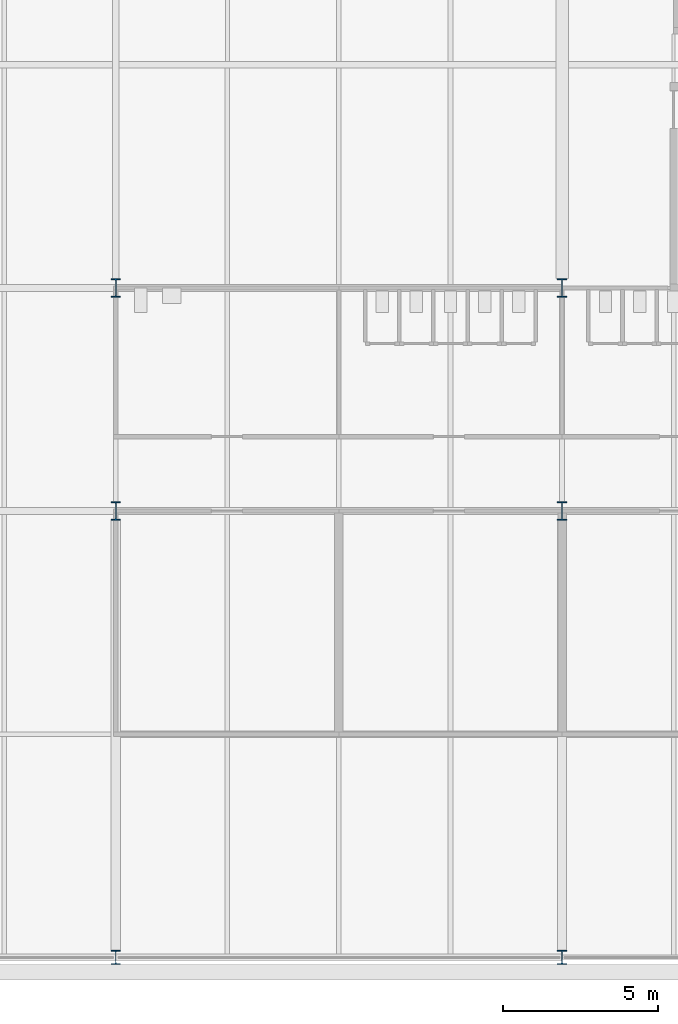
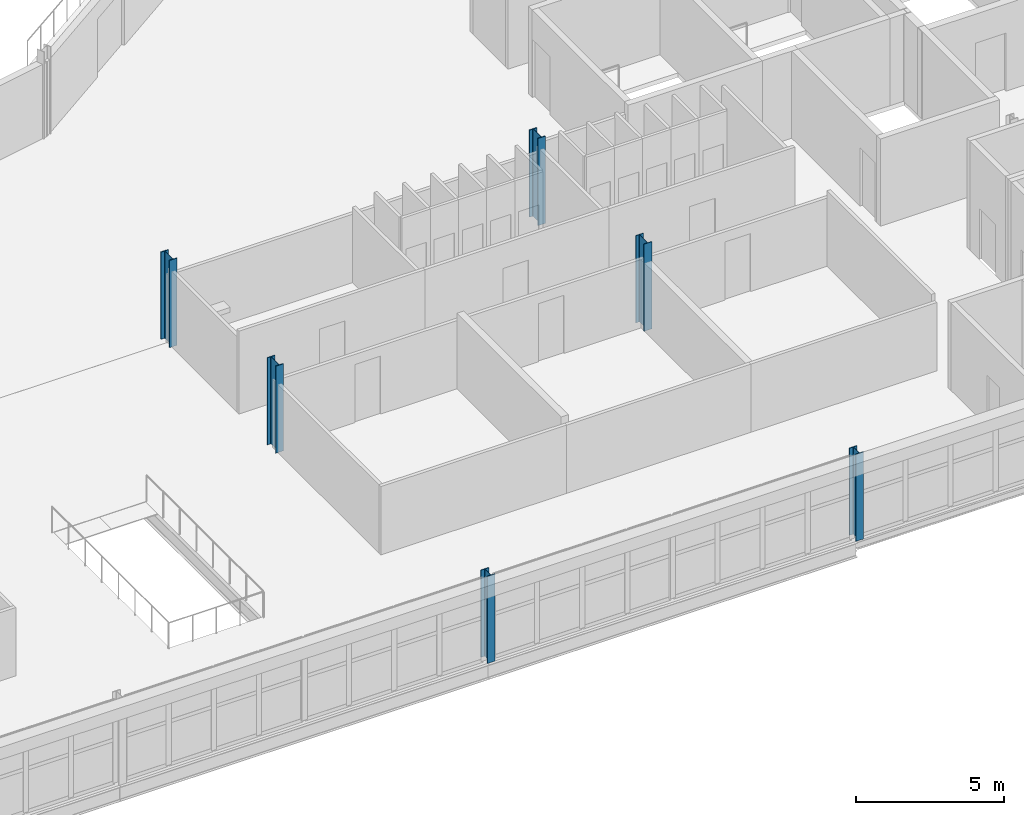
# One storey, part 2 of 142: 6 columns.
"""IFC4 building model written with IfcOpenShell, lengths in metres."""

from ifc_helpers import new_model, si_unit, direction, frame, origin, origin_2d, place, context, subcontext, project, spatial, i_section, extrude, material, material_profile, profile_set, type_object, element, save


model = new_model("IFC4")

# Units and contexts
model_context = context("Model", 3, precision=1e-05, world=origin(), true_north=direction((0.0, 1.0)))
body_context = subcontext(model_context, "Body", "Model", "MODEL_VIEW")
ifc_project = project(units=[si_unit("LENGTHUNIT", "METRE"), si_unit("AREAUNIT", "SQUARE_METRE"), si_unit("VOLUMEUNIT", "CUBIC_METRE"), si_unit("PLANEANGLEUNIT", "RADIAN"), si_unit("MASSUNIT", "GRAM", prefix="KILO")], contexts=[model_context])

# Site, building, storey
site_placement = place(None, origin())
site = spatial("IfcSite", under=ifc_project, at=site_placement, CompositionType="ELEMENT")
building_placement = place(site_placement, origin())
building = spatial("IfcBuilding", under=site, at=building_placement, Name="Kupolbacken Congress Centre", CompositionType="ELEMENT")
storey_placement = place(building_placement, frame((0.0, 0.0, 14.39990234375)))
storey = spatial("IfcBuildingStorey", under=building, at=storey_placement, Name="L04", CompositionType="ELEMENT", Elevation=14.39990234375)

# Columns
ifc_material_1 = material(Name="Steel S355", Category="steel")
ifc_material_profile_1 = material_profile(ifc_material_1, i_section(OverallWidth=0.300048828125, OverallDepth=0.449951171875, WebThickness=0.013916015625, FlangeThickness=0.02587890625, FilletRadius=0.027099609375, at=origin_2d()), Name="HEB 450")
ifc_profile_set_1 = profile_set([ifc_material_profile_1], Name="Steel S355")
column_type_1 = type_object("IfcColumnType", Name="C03 column HEB 450", PredefinedType="COLUMN", material=ifc_profile_set_1)
for number, where, z_axis, x_axis, name in (
    (1, (50.39990234375, 28.800048828125, 0.0), (0.0, 0.0, 1.0), (1.0, 0.0, 0.0), "S/col/C-F-8E/L04"),
    (2, (64.800048828125, 28.800048828125, 0.0), (0.0, 0.0, 1.0), (1.0, 0.0, 0.0), "S/col/C-F-10E/L04"),
):
    element("IfcColumn", number, at=place(storey_placement, frame(where, z_axis=z_axis, x_axis=x_axis)), inside=storey, type_object=column_type_1, Name=name, PredefinedType="COLUMN", context=body_context, shape_type="SweptSolid", body=[
        extrude(i_section(OverallWidth=0.300048828125, OverallDepth=0.449951171875, WebThickness=0.013916015625, FlangeThickness=0.02587890625, FilletRadius=0.027099609375, at=origin_2d()), origin(), (0.0, 0.0, 1.0), 3.60009765625),
    ])
ifc_material_2 = material(Name="Steel S355", Category="steel")
ifc_material_profile_2 = material_profile(ifc_material_2, i_section(OverallWidth=0.300048828125, OverallDepth=0.60009765625, WebThickness=0.015380859375, FlangeThickness=0.030029296875, FilletRadius=0.027099609375, at=origin_2d()), Name="HEB 600")
ifc_profile_set_2 = profile_set([ifc_material_profile_2], Name="Steel S355")
column_type_2 = type_object("IfcColumnType", Name="C05 column HEB 600", PredefinedType="COLUMN", material=ifc_profile_set_2)
for number, where, z_axis, x_axis, name in (
    (3, (50.39990234375, 43.199951171875, 0.0), (0.0, 0.0, 1.0), (1.0, 0.0, 0.0), "S/col/C-F-8G/L04"),
    (4, (50.39990234375, 50.39990234375, 0.0), (0.0, 0.0, 1.0), (1.0, 0.0, 0.0), "S/col/C-F-8H/L04"),
    (5, (64.800048828125, 43.199951171875, 0.0), (0.0, 0.0, 1.0), (1.0, 0.0, 0.0), "S/col/C-F-10G/L04"),
    (6, (64.800048828125, 50.39990234375, 0.0), (0.0, 0.0, 1.0), (1.0, 0.0, 0.0), "S/col/C-F-10H/L04"),
):
    element("IfcColumn", number, at=place(storey_placement, frame(where, z_axis=z_axis, x_axis=x_axis)), inside=storey, type_object=column_type_2, Name=name, PredefinedType="COLUMN", context=body_context, shape_type="SweptSolid", body=[
        extrude(i_section(OverallWidth=0.300048828125, OverallDepth=0.60009765625, WebThickness=0.015380859375, FlangeThickness=0.030029296875, FilletRadius=0.027099609375, at=origin_2d()), origin(), (0.0, 0.0, 1.0), 3.60009765625),
    ])

save(model, "model.ifc")
